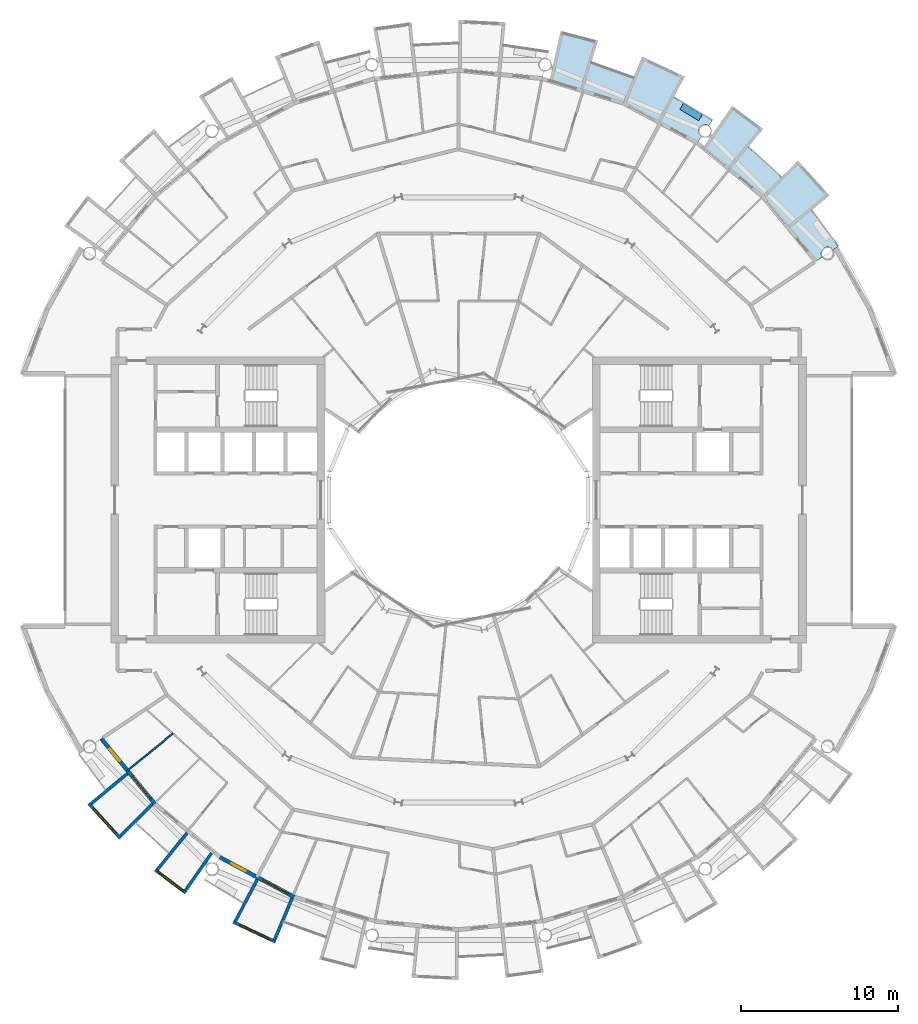
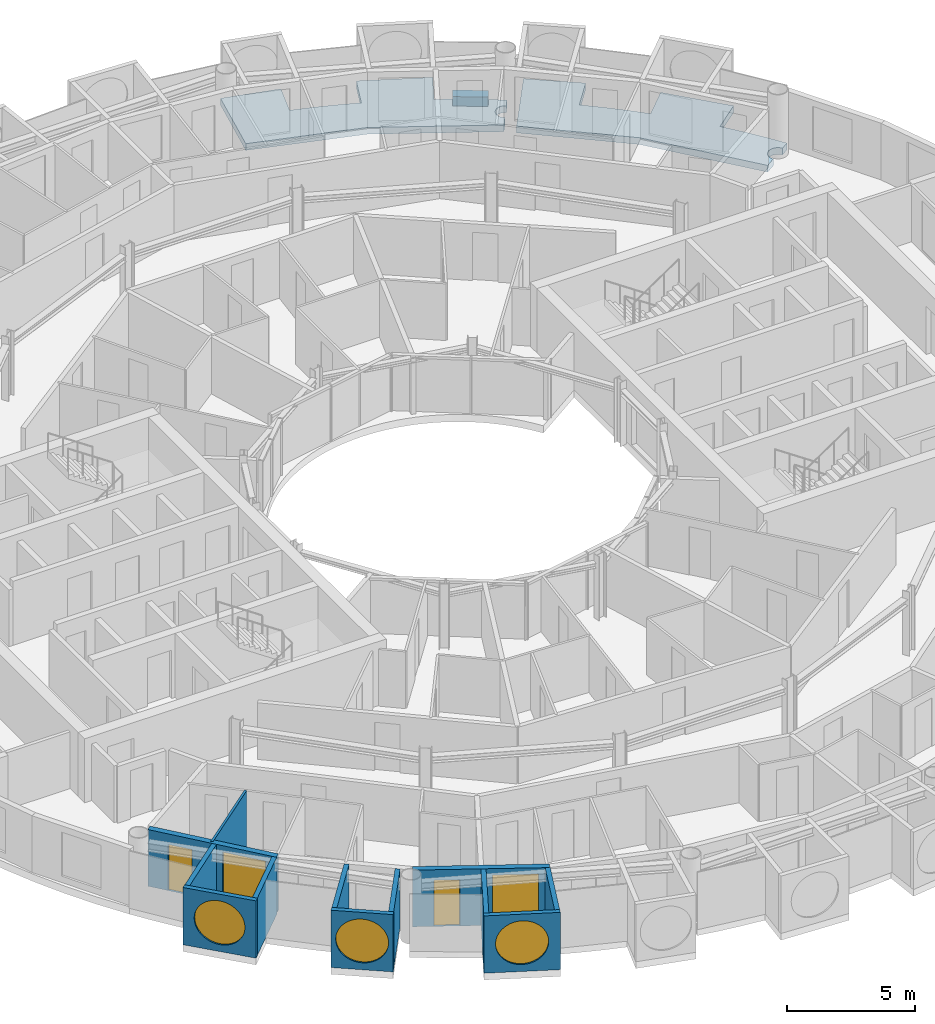
# One storey, part 13 of 26: 12 walls, 5 windows, 3 slabs, 2 doors, 7 openings.
"""IFC4 building model written with IfcOpenShell, lengths in metres."""

import ifcopenshell
import ifcopenshell.guid

model = None  # the IFC model being written
_history = None  # IfcOwnerHistory: only IFC2X3 demands one
_inside = {}  # id of a spatial element -> (the spatial element, [elements in it])
_under = {}  # id of a project, library or spatial element -> (it, [spatial elements below it])
_declared = {}  # id of a project -> (the project, [libraries it declares])
_typed = {}  # id of a type object -> (the type object, [elements of that type])
_made_of = {}  # id of a material, layer set ... -> (it, [elements and type objects made of it])


def new_model(schema):
    """Start an empty IFC model of exactly this schema.

    Asked for "IFC4X3", IfcOpenShell would pick the latest addendum, in which some entities
    have other attributes; the version numbers below select the first issue.
    IFC2X3 requires an IfcOwnerHistory on every rooted entity: one is made here for all.
    """
    global model, _history
    if schema == "IFC4X3":
        model = ifcopenshell.file(schema_version=(4, 3, 0, 0))
    else:
        model = ifcopenshell.file(schema=schema)
    _inside.clear()
    _under.clear()
    _declared.clear()
    _typed.clear()
    _made_of.clear()
    _history = None
    if model.schema == "IFC2X3":
        org = make("IfcOrganization", Name="unknown")
        user = make(
            "IfcPersonAndOrganization",
            ThePerson=make("IfcPerson", FamilyName="unknown"),
            TheOrganization=org,
        )
        app = make(
            "IfcApplication",
            ApplicationDeveloper=org,
            Version="unknown",
            ApplicationFullName="unknown",
            ApplicationIdentifier="unknown",
        )
        _history = make(
            "IfcOwnerHistory",
            OwningUser=user,
            OwningApplication=app,
            ChangeAction="ADDED",
            CreationDate=0,
        )
    return model


def make(cls, **values):
    """One entity of the class cls with the attributes given. An attribute that is None is left unset."""
    return model.create_entity(
        cls, **{name: value for name, value in values.items() if value is not None}
    )


def rooted(cls, **values):
    """An entity with a GlobalId (a new one), such as an element, a storey or a relation."""
    return make(cls, GlobalId=ifcopenshell.guid.new(), OwnerHistory=_history, **values)


def si_unit(unit_type, name, prefix=None):
    """IfcSIUnit, for example si_unit("LENGTHUNIT", "METRE", prefix="MILLI")."""
    return make("IfcSIUnit", UnitType=unit_type, Prefix=prefix, Name=name)


def assignment(units):
    """IfcUnitAssignment: the units of a project."""
    return None if units is None else make("IfcUnitAssignment", Units=units)


def point(xyz):
    """IfcCartesianPoint."""
    return None if xyz is None else make("IfcCartesianPoint", Coordinates=xyz)


def direction(xyz):
    """IfcDirection."""
    return None if xyz is None else make("IfcDirection", DirectionRatios=xyz)


def frame(location, z_axis=None, x_axis=None):
    """IfcAxis2Placement3D, a coordinate frame: its origin and axes. An axis left out is left unset."""
    return make(
        "IfcAxis2Placement3D",
        Location=point(location),
        Axis=direction(z_axis),
        RefDirection=direction(x_axis),
    )


def frame_2d(location, x_axis=None):
    """IfcAxis2Placement2D, a coordinate frame in the plane: its origin and x axis."""
    return make(
        "IfcAxis2Placement2D", Location=point(location), RefDirection=direction(x_axis)
    )


def origin():
    """The frame at (0, 0, 0) with its axes left unset."""
    return frame((0.0, 0.0, 0.0))


def place(relative_to, where):
    """IfcLocalPlacement: puts the frame where relative to a parent placement (None: the world)."""
    return make(
        "IfcLocalPlacement", PlacementRelTo=relative_to, RelativePlacement=where
    )


def context(
    kind, dimensions, precision=None, world=None, true_north=None, identifier=None
):
    """IfcGeometricRepresentationContext, for example the 3D "Model" context."""
    return make(
        "IfcGeometricRepresentationContext",
        ContextIdentifier=identifier,
        ContextType=kind,
        CoordinateSpaceDimension=dimensions,
        Precision=precision,
        WorldCoordinateSystem=world,
        TrueNorth=true_north,
    )


def subcontext(parent, identifier, kind, view, scale=None):
    """IfcGeometricRepresentationSubContext, for example "Body" below "Model"."""
    return make(
        "IfcGeometricRepresentationSubContext",
        ContextIdentifier=identifier,
        ContextType=kind,
        ParentContext=parent,
        TargetScale=scale,
        TargetView=view,
    )


def project(units=None, contexts=None):
    """IfcProject with its units and contexts."""
    return rooted(
        "IfcProject",
        Name="project",
        RepresentationContexts=contexts,
        UnitsInContext=assignment(units),
    )


def spatial(cls, under=None, at=None, **own):
    """A site, building, storey or space (cls), placed at a placement, below another one or the project."""
    s = rooted(cls, ObjectPlacement=at, **own)
    if under is not None:
        _under.setdefault(under.id(), (under, []))[1].append(s)
    return s


def polyline(points):
    """IfcPolyline through the points."""
    return make("IfcPolyline", Points=[point(p) for p in points])


def profile(cls, at=None, kind="AREA", **sizes):
    """A parametric profile (cls). Its sizes go by their IFC names, for example OverallWidth=200.0."""
    return make(cls, ProfileType=kind, Position=at, **sizes)


def rectangle(**sizes):
    """IfcRectangleProfileDef."""
    return profile("IfcRectangleProfileDef", **sizes)


def circle(**sizes):
    """IfcCircleProfileDef."""
    return profile("IfcCircleProfileDef", **sizes)


def outline(outer, holes=None, kind="AREA"):
    """IfcArbitraryClosedProfileDef: a profile drawn as a closed curve; with holes, ...WithVoids."""
    if holes is None:
        return make("IfcArbitraryClosedProfileDef", ProfileType=kind, OuterCurve=outer)
    return make(
        "IfcArbitraryProfileDefWithVoids",
        ProfileType=kind,
        OuterCurve=outer,
        InnerCurves=holes,
    )


def extrude(swept, where, along, depth):
    """IfcExtrudedAreaSolid: the profile swept, set in the frame where, extruded along a direction by depth."""
    return make(
        "IfcExtrudedAreaSolid",
        SweptArea=swept,
        Position=where,
        ExtrudedDirection=direction(along),
        Depth=depth,
    )


def shape(context_of_items, identifier, shape_type, items):
    """IfcShapeRepresentation: the items that make up one representation, for example the "Body"."""
    return make(
        "IfcShapeRepresentation",
        ContextOfItems=context_of_items,
        RepresentationIdentifier=identifier,
        RepresentationType=shape_type,
        Items=items,
    )


def material(Name=None, Category=None):
    """IfcMaterial."""
    return make("IfcMaterial", Name=Name, Category=Category)


def layer(
    of_material, thickness, ventilated=None, Name=None, Category=None, Priority=None
):
    """IfcMaterialLayer: one layer of a wall or slab, of a material (None: an air gap)."""
    return make(
        "IfcMaterialLayer",
        Material=of_material,
        LayerThickness=thickness,
        IsVentilated=ventilated,
        Name=Name,
        Category=Category,
        Priority=Priority,
    )


def layer_set(layers, Name=None):
    """IfcMaterialLayerSet."""
    return make("IfcMaterialLayerSet", MaterialLayers=layers, LayerSetName=Name)


def made_of(thing, what):
    """Note that an element or type object is made of a material, layer set ...; save() writes the relation."""
    if what is not None:
        _made_of.setdefault(what.id(), (what, []))[1].append(thing)
    return thing


def type_object(cls, material=None, **own):
    """A type object (cls), such as IfcWallType, which elements share."""
    return made_of(rooted(cls, **own), material)


def element(
    cls,
    number,
    at=None,
    inside=None,
    cuts=None,
    type_object=None,
    material=None,
    context=None,
    identifier="Body",
    shape_type=None,
    held_by="IfcProductDefinitionShape",
    body=None,
    shapes=None,
    **own,
):
    """One element of the class cls, such as IfcWall. Its Tag is "e" and its number.

    at: its placement. inside: the storey or other place that contains it. cuts: it is an
    opening in that element (IfcRelVoidsElement). A single representation is given by context,
    identifier, shape_type and body (its items); several are given by shapes. held_by: the class
    of the entity that holds the representations. save() writes the other relations.
    """
    e = rooted(cls, Tag="e%d" % number, ObjectPlacement=at, **own)
    if body is not None:
        shapes = [shape(context, identifier, shape_type, body)]
    if shapes is not None:
        e.Representation = make(held_by, Representations=shapes)
    if inside is not None:
        _inside.setdefault(inside.id(), (inside, []))[1].append(e)
    if cuts is not None:
        rooted(
            "IfcRelVoidsElement", RelatingBuildingElement=cuts, RelatedOpeningElement=e
        )
    if type_object is not None:
        _typed.setdefault(type_object.id(), (type_object, []))[1].append(e)
    return made_of(e, material)


def fill(opening, filler):
    """IfcRelFillsElement: the door or window that sits in an opening."""
    return rooted(
        "IfcRelFillsElement",
        RelatingOpeningElement=opening,
        RelatedBuildingElement=filler,
    )


def aggregate(whole, parts):
    """IfcRelAggregates: a whole, such as a stair, and the parts it consists of."""
    return rooted("IfcRelAggregates", RelatingObject=whole, RelatedObjects=parts)


def save(model, path):
    """Write the relations noted so far, then the file.

    IfcRelAggregates (storeys below a building ...), IfcRelContainedInSpatialStructure (elements
    in a storey), IfcRelDefinesByType, IfcRelAssociatesMaterial and IfcRelDeclares: one each for
    every whole, place, type object, material and project.
    """
    for whole, parts in _under.values():
        aggregate(whole, parts)
    for where, things in _inside.values():
        rooted(
            "IfcRelContainedInSpatialStructure",
            RelatedElements=things,
            RelatingStructure=where,
        )
    for kind, things in _typed.values():
        rooted("IfcRelDefinesByType", RelatedObjects=things, RelatingType=kind)
    for what, things in _made_of.values():
        rooted("IfcRelAssociatesMaterial", RelatedObjects=things, RelatingMaterial=what)
    for by, libraries in _declared.values():
        rooted("IfcRelDeclares", RelatingContext=by, RelatedDefinitions=libraries)
    model.write(path)


model = new_model("IFC4")

# Units and contexts
model_context = context("Model", 3, precision=1e-05, world=origin(), true_north=direction((0.0, 1.0)))
body_context = subcontext(model_context, "Body", "Model", "MODEL_VIEW")
ifc_project = project(units=[si_unit("LENGTHUNIT", "METRE"), si_unit("AREAUNIT", "SQUARE_METRE"), si_unit("VOLUMEUNIT", "CUBIC_METRE"), si_unit("PLANEANGLEUNIT", "RADIAN"), si_unit("MASSUNIT", "GRAM", prefix="KILO")], contexts=[model_context])

# Site, building, storey
site_placement = place(None, origin())
site = spatial("IfcSite", under=ifc_project, at=site_placement, CompositionType="ELEMENT")
building_placement = place(site_placement, origin())
building = spatial("IfcBuilding", under=site, at=building_placement, Name="Maasbend Ring Residences", CompositionType="ELEMENT")
storey_placement = place(building_placement, frame((0.0, 0.0, 154.35009765625)))
storey = spatial("IfcBuildingStorey", under=building, at=storey_placement, Name="L44", CompositionType="ELEMENT", Elevation=154.35009765625)

# Slabs
ifc_material_1 = material(Name="Planting with climbing greenery")
ifc_layer_1 = layer(ifc_material_1, 0.449951171875)
ifc_layer_set_1 = layer_set([ifc_layer_1], Name="PLANTER-LG")
slab_type_1 = type_object("IfcSlabType", Name="PLANTER-LG", PredefinedType="USERDEFINED", material=ifc_layer_set_1)
slab_1_placement = place(storey_placement, frame((0.0, 0.0, -0.030029296875)))
element("IfcSlab", 1, at=slab_1_placement, inside=storey, type_object=slab_type_1, Name="Planter with climbing greenery 2", ObjectType="PLANTER", PredefinedType="USERDEFINED", context=body_context, shape_type="SweptSolid", body=[
    extrude(outline(polyline([(15.490966796875, 24.48388671875), (14.291015625, 25.2041015625), (14.05908203125, 24.818115234375), (15.260009765625, 24.097900390625), (15.490966796875, 24.48388671875)])), origin(), (0.0, 0.0, 1.0), 0.449951171875),
])
ifc_material_2 = material(Name="Concrete C40/50", Category="concrete")
ifc_layer_2 = layer(ifc_material_2, 0.199951171875)
ifc_layer_set_2 = layer_set([ifc_layer_2], Name="Concrete C40/50")
slab_type_2 = type_object("IfcSlabType", Name="SL-LOGGIA", PredefinedType="FLOOR", material=ifc_layer_set_2)
slab_2_placement = place(storey_placement, frame((0.0, 0.0, -0.35009765625)))
element("IfcSlab", 2, at=slab_2_placement, inside=storey, type_object=slab_type_2, Name="Loggia floor 1", PredefinedType="FLOOR", context=body_context, shape_type="SweptSolid", body=[
    extrude(outline(polyline([(8.85400390625, 29.18701171875), (8.85400390625, 29.18701171875), (8.85400390625, 29.18701171875), (8.41796875, 27.751953125), (8.41796875, 27.751953125), (8.41796875, 27.751953125), (8.41796875, 27.751953125), (8.41796875, 27.751953125), (8.41796875, 27.751953125), (8.41796875, 27.7509765625), (8.41796875, 27.7509765625), (8.41796875, 27.7509765625), (8.41796875, 27.7509765625), (8.41796875, 27.7509765625), (8.4189453125, 27.7509765625), (8.4189453125, 27.7509765625), (8.4189453125, 27.7509765625), (8.4189453125, 27.7509765625), (8.4189453125, 27.7509765625), (8.4189453125, 27.7509765625), (9.322021484375, 27.4609375), (9.322021484375, 27.4609375), (10.215087890625, 27.14111328125), (10.215087890625, 27.14111328125), (11.096923828125, 26.79296875), (11.096923828125, 26.79296875), (11.096923828125, 26.79296875), (11.097900390625, 26.79296875), (11.097900390625, 26.79296875), (11.097900390625, 26.79296875), (11.097900390625, 26.79296875), (11.097900390625, 26.79296875), (11.097900390625, 26.79296875), (11.097900390625, 26.79296875), (11.097900390625, 26.79296875), (11.097900390625, 26.79296875), (11.097900390625, 26.79296875), (11.097900390625, 26.79296875), (11.097900390625, 26.79296875), (11.097900390625, 26.79296875), (11.097900390625, 26.79296875), (11.672119140625, 28.177978515625), (11.672119140625, 28.177978515625), (11.672119140625, 28.177978515625), (14.3779296875, 26.89892578125), (14.3779296875, 26.89892578125), (14.3779296875, 26.89892578125), (13.6708984375, 25.575927734375), (13.6708984375, 25.575927734375), (13.6708984375, 25.575927734375), (13.6708984375, 25.575927734375), (13.6708984375, 25.575927734375), (13.6708984375, 25.575927734375), (13.6708984375, 25.575927734375), (13.6708984375, 25.575927734375), (13.6708984375, 25.575927734375), (13.6708984375, 25.575927734375), (13.6708984375, 25.575927734375), (13.6708984375, 25.575927734375), (13.6708984375, 25.575927734375), (13.6708984375, 25.575927734375), (13.6708984375, 25.575927734375), (13.6708984375, 25.575927734375), (13.6708984375, 25.574951171875), (14.5, 25.114990234375), (14.5, 25.114990234375), (15.31396484375, 24.626953125), (15.31396484375, 24.626953125), (16.112060546875, 24.113037109375), (16.112060546875, 24.113037109375), (16.112060546875, 24.113037109375), (15.89306640625, 23.784912109375), (15.885009765625, 23.791015625), (15.8759765625, 23.7958984375), (15.866943359375, 23.801025390625), (15.85888671875, 23.805908203125), (15.85009765625, 23.81005859375), (15.841064453125, 23.81494140625), (15.83203125, 23.819091796875), (15.822998046875, 23.822998046875), (15.81298828125, 23.826904296875), (15.803955078125, 23.830078125), (15.794921875, 23.8330078125), (15.784912109375, 23.8359375), (15.77587890625, 23.839111328125), (15.76611328125, 23.842041015625), (15.756103515625, 23.843994140625), (15.74609375, 23.845947265625), (15.737060546875, 23.847900390625), (15.72705078125, 23.85009765625), (15.717041015625, 23.85107421875), (15.70703125, 23.85205078125), (15.697021484375, 23.85302734375), (15.68701171875, 23.85302734375), (15.677001953125, 23.85400390625), (15.6669921875, 23.85400390625), (15.656982421875, 23.85400390625), (15.64697265625, 23.85302734375), (15.636962890625, 23.85302734375), (15.626953125, 23.85205078125), (15.616943359375, 23.85107421875), (15.60693359375, 23.85009765625), (15.597900390625, 23.847900390625), (15.587890625, 23.845947265625), (15.577880859375, 23.843994140625), (15.568115234375, 23.842041015625), (15.55908203125, 23.839111328125), (15.549072265625, 23.8359375), (15.5400390625, 23.8330078125), (15.530029296875, 23.830078125), (15.52099609375, 23.826904296875), (15.511962890625, 23.822998046875), (15.501953125, 23.819091796875), (15.492919921875, 23.81494140625), (15.48388671875, 23.81005859375), (15.47509765625, 23.805908203125), (15.467041015625, 23.801025390625), (15.4580078125, 23.7958984375), (15.449951171875, 23.791015625), (15.44091796875, 23.784912109375), (15.43310546875, 23.780029296875), (15.425048828125, 23.77392578125), (15.4169921875, 23.76806640625), (15.408935546875, 23.761962890625), (15.402099609375, 23.7548828125), (15.39404296875, 23.7490234375), (15.386962890625, 23.741943359375), (15.3798828125, 23.735107421875), (15.373046875, 23.72802734375), (15.365966796875, 23.719970703125), (15.35888671875, 23.712890625), (15.35302734375, 23.705078125), (15.346923828125, 23.697021484375), (15.341064453125, 23.68994140625), (15.3349609375, 23.680908203125), (15.3291015625, 23.673095703125), (15.323974609375, 23.6650390625), (15.318115234375, 23.656005859375), (15.31298828125, 23.64794921875), (15.30908203125, 23.638916015625), (15.303955078125, 23.6298828125), (15.300048828125, 23.62109375), (15.294921875, 23.612060546875), (15.2919921875, 23.60302734375), (15.2880859375, 23.593994140625), (15.283935546875, 23.583984375), (15.281005859375, 23.574951171875), (15.278076171875, 23.56494140625), (15.27490234375, 23.555908203125), (15.27294921875, 23.5458984375), (15.27001953125, 23.535888671875), (15.26806640625, 23.527099609375), (15.26708984375, 23.51708984375), (15.264892578125, 23.507080078125), (15.263916015625, 23.4970703125), (15.262939453125, 23.487060546875), (15.261962890625, 23.47705078125), (15.260986328125, 23.467041015625), (15.260986328125, 23.45703125), (15.260986328125, 23.447021484375), (15.260986328125, 23.43701171875), (15.260986328125, 23.427001953125), (15.261962890625, 23.4169921875), (15.262939453125, 23.407958984375), (15.263916015625, 23.39794921875), (15.264892578125, 23.387939453125), (15.26708984375, 23.3779296875), (15.26806640625, 23.367919921875), (15.27001953125, 23.35791015625), (15.27294921875, 23.34912109375), (15.27490234375, 23.339111328125), (15.278076171875, 23.3291015625), (15.281005859375, 23.320068359375), (15.283935546875, 23.31005859375), (15.2880859375, 23.301025390625), (15.2919921875, 23.2919921875), (15.294921875, 23.282958984375), (15.300048828125, 23.27392578125), (15.303955078125, 23.264892578125), (15.30908203125, 23.256103515625), (15.31298828125, 23.2470703125), (15.318115234375, 23.238037109375), (15.323974609375, 23.22998046875), (15.3291015625, 23.221923828125), (15.3349609375, 23.212890625), (15.341064453125, 23.205078125), (15.346923828125, 23.197021484375), (15.35302734375, 23.18994140625), (15.35888671875, 23.181884765625), (15.365966796875, 23.174072265625), (15.373046875, 23.1669921875), (15.3798828125, 23.159912109375), (15.386962890625, 23.153076171875), (15.39404296875, 23.14599609375), (15.402099609375, 23.139892578125), (15.408935546875, 23.133056640625), (15.4169921875, 23.126953125), (15.425048828125, 23.12109375), (15.43310546875, 23.114990234375), (15.44091796875, 23.10888671875), (15.1669921875, 22.698974609375), (15.1669921875, 22.698974609375), (15.1669921875, 22.698974609375), (12.806884765625, 23.9609375), (10.447021484375, 25.221923828125), (10.447021484375, 25.221923828125), (10.447021484375, 25.221923828125), (7.886962890625, 25.9990234375), (5.797119140625, 26.633056640625), (5.797119140625, 26.633056640625), (5.797119140625, 26.633056640625), (6.487060546875, 29.802001953125), (6.487060546875, 29.802001953125), (6.487060546875, 29.802001953125), (8.85400390625, 29.18701171875)])), origin(), (0.0, 0.0, 1.0), 0.320068359375),
])
slab_3_placement = place(storey_placement, frame((0.0, 0.0, -0.35009765625)))
element("IfcSlab", 3, at=slab_3_placement, inside=storey, type_object=slab_type_2, Name="Loggia floor 4", PredefinedType="FLOOR", context=body_context, shape_type="SweptSolid", body=[
    extrude(outline(polyline([(19.34912109375, 23.576904296875), (19.34912109375, 23.576904296875), (19.34912109375, 23.576904296875), (18.39794921875, 22.41796875), (18.39794921875, 22.41796875), (18.39794921875, 22.41796875), (18.39794921875, 22.41796875), (18.39794921875, 22.41796875), (18.39794921875, 22.4169921875), (18.39794921875, 22.4169921875), (18.39794921875, 22.4169921875), (18.39794921875, 22.4169921875), (18.39794921875, 22.4169921875), (18.39794921875, 22.4169921875), (18.39794921875, 22.4169921875), (18.39794921875, 22.4169921875), (18.39794921875, 22.4169921875), (18.39794921875, 22.4169921875), (18.39794921875, 22.4169921875), (18.39794921875, 22.4169921875), (19.12109375, 21.802978515625), (19.12109375, 21.802978515625), (19.823974609375, 21.166015625), (19.823974609375, 21.166015625), (20.506103515625, 20.506103515625), (20.506103515625, 20.506103515625), (20.506103515625, 20.506103515625), (20.506103515625, 20.506103515625), (20.506103515625, 20.506103515625), (20.506103515625, 20.506103515625), (20.506103515625, 20.506103515625), (20.506103515625, 20.506103515625), (20.506103515625, 20.506103515625), (20.506103515625, 20.506103515625), (20.506103515625, 20.506103515625), (20.506103515625, 20.506103515625), (20.506103515625, 20.506103515625), (20.506103515625, 20.506103515625), (20.506103515625, 20.506103515625), (20.506103515625, 20.506103515625), (20.506103515625, 20.506103515625), (21.56689453125, 21.56689453125), (21.56689453125, 21.56689453125), (21.56689453125, 21.56689453125), (23.576904296875, 19.34912109375), (23.576904296875, 19.34912109375), (23.576904296875, 19.34912109375), (22.41796875, 18.39794921875), (22.41796875, 18.39794921875), (22.41796875, 18.39794921875), (22.41796875, 18.39794921875), (22.41796875, 18.39794921875), (22.41796875, 18.39794921875), (22.41796875, 18.39697265625), (22.41796875, 18.39697265625), (22.41796875, 18.39697265625), (22.41796875, 18.39697265625), (22.41796875, 18.39697265625), (22.41796875, 18.39697265625), (22.41796875, 18.39697265625), (22.41796875, 18.39697265625), (22.41796875, 18.39697265625), (22.41796875, 18.39697265625), (22.41796875, 18.39697265625), (23.007080078125, 17.654052734375), (23.007080078125, 17.654052734375), (23.572998046875, 16.89208984375), (23.572998046875, 16.89208984375), (24.113037109375, 16.112060546875), (24.113037109375, 16.112060546875), (24.113037109375, 16.112060546875), (23.784912109375, 15.89306640625), (23.784912109375, 15.89306640625), (23.780029296875, 15.90087890625), (23.77392578125, 15.908935546875), (23.76806640625, 15.9169921875), (23.761962890625, 15.925048828125), (23.7548828125, 15.93310546875), (23.7490234375, 15.93994140625), (23.741943359375, 15.947021484375), (23.735107421875, 15.955078125), (23.72802734375, 15.9619140625), (23.719970703125, 15.968017578125), (23.712890625, 15.97509765625), (23.705078125, 15.98095703125), (23.697021484375, 15.988037109375), (23.68994140625, 15.993896484375), (23.680908203125, 15.9990234375), (23.673095703125, 16.0048828125), (23.6650390625, 16.010986328125), (23.656005859375, 16.01611328125), (23.64794921875, 16.02099609375), (23.638916015625, 16.02587890625), (23.6298828125, 16.030029296875), (23.62109375, 16.034912109375), (23.612060546875, 16.0390625), (23.60302734375, 16.04296875), (23.593994140625, 16.0458984375), (23.583984375, 16.050048828125), (23.574951171875, 16.052978515625), (23.56494140625, 16.055908203125), (23.555908203125, 16.05908203125), (23.5458984375, 16.06103515625), (23.535888671875, 16.06396484375), (23.527099609375, 16.06591796875), (23.51708984375, 16.068115234375), (23.507080078125, 16.069091796875), (23.4970703125, 16.071044921875), (23.487060546875, 16.072021484375), (23.47705078125, 16.072021484375), (23.467041015625, 16.072998046875), (23.45703125, 16.072998046875), (23.447021484375, 16.073974609375), (23.43701171875, 16.072998046875), (23.427001953125, 16.072998046875), (23.4169921875, 16.072021484375), (23.407958984375, 16.072021484375), (23.39794921875, 16.071044921875), (23.387939453125, 16.069091796875), (23.3779296875, 16.068115234375), (23.367919921875, 16.06591796875), (23.35791015625, 16.06396484375), (23.34912109375, 16.06103515625), (23.339111328125, 16.05908203125), (23.3291015625, 16.055908203125), (23.320068359375, 16.052978515625), (23.31005859375, 16.050048828125), (23.301025390625, 16.0458984375), (23.2919921875, 16.04296875), (23.282958984375, 16.0390625), (23.27392578125, 16.034912109375), (23.264892578125, 16.030029296875), (23.256103515625, 16.02587890625), (23.2470703125, 16.02099609375), (23.238037109375, 16.01611328125), (23.22998046875, 16.010986328125), (23.221923828125, 16.0048828125), (23.212890625, 15.9990234375), (23.205078125, 15.993896484375), (23.197021484375, 15.988037109375), (23.18994140625, 15.98095703125), (23.181884765625, 15.97509765625), (23.174072265625, 15.968017578125), (23.1669921875, 15.9619140625), (23.159912109375, 15.955078125), (23.153076171875, 15.947021484375), (23.14599609375, 15.93994140625), (23.139892578125, 15.93310546875), (23.133056640625, 15.925048828125), (23.126953125, 15.9169921875), (23.12109375, 15.908935546875), (23.114990234375, 15.90087890625), (23.10888671875, 15.89306640625), (23.10400390625, 15.885009765625), (23.09912109375, 15.8759765625), (23.093994140625, 15.866943359375), (23.089111328125, 15.85888671875), (23.083984375, 15.85009765625), (23.080078125, 15.841064453125), (23.075927734375, 15.83203125), (23.072021484375, 15.822998046875), (23.068115234375, 15.81298828125), (23.06494140625, 15.803955078125), (23.06103515625, 15.794921875), (23.05810546875, 15.784912109375), (23.055908203125, 15.77587890625), (23.052978515625, 15.76611328125), (23.051025390625, 15.756103515625), (23.049072265625, 15.74609375), (23.047119140625, 15.737060546875), (23.044921875, 15.72705078125), (23.0439453125, 15.717041015625), (23.04296875, 15.70703125), (23.0419921875, 15.697021484375), (23.041015625, 15.68701171875), (23.041015625, 15.677001953125), (23.041015625, 15.6669921875), (23.041015625, 15.656982421875), (23.041015625, 15.64697265625), (23.0419921875, 15.636962890625), (23.04296875, 15.626953125), (23.0439453125, 15.616943359375), (23.044921875, 15.60693359375), (23.047119140625, 15.597900390625), (23.049072265625, 15.587890625), (23.051025390625, 15.577880859375), (23.052978515625, 15.568115234375), (23.055908203125, 15.55908203125), (23.05810546875, 15.549072265625), (23.06103515625, 15.5400390625), (23.06494140625, 15.530029296875), (23.068115234375, 15.52099609375), (23.072021484375, 15.511962890625), (23.075927734375, 15.501953125), (23.080078125, 15.492919921875), (23.083984375, 15.48388671875), (23.089111328125, 15.47509765625), (23.093994140625, 15.467041015625), (23.09912109375, 15.4580078125), (23.10400390625, 15.449951171875), (23.10888671875, 15.44091796875), (23.10888671875, 15.44091796875), (22.698974609375, 15.1669921875), (22.698974609375, 15.1669921875), (22.698974609375, 15.1669921875), (21.001953125, 17.236083984375), (19.303955078125, 19.303955078125), (19.303955078125, 19.303955078125), (19.303955078125, 19.303955078125), (17.236083984375, 21.001953125), (15.547119140625, 22.386962890625), (15.547119140625, 22.386962890625), (15.547119140625, 22.386962890625), (17.39794921875, 25.051025390625), (17.39794921875, 25.051025390625), (17.39794921875, 25.051025390625), (19.34912109375, 23.576904296875)])), origin(), (0.0, 0.0, 1.0), 0.320068359375),
])

# Wall, opening, window
ifc_material_3 = material(Name="Pale anodised aluminium panel", Category="aluminium")
ifc_layer_3 = layer(ifc_material_3, 0.199951171875)
ifc_layer_set_3 = layer_set([ifc_layer_3], Name="EW-BOX")
wall_type_1 = type_object("IfcWallType", Name="EW-BOX", PredefinedType="SOLIDWALL", material=ifc_layer_set_3)
wall_1_placement = place(storey_placement, frame((-23.5029296875, -19.281982421875, -0.030029296875), z_axis=(0.0, 0.0, 1.0), x_axis=(0.671506829416, -0.740998365753, 0.0)))
wall_1 = element("IfcWall", 4, at=wall_1_placement, inside=storey, type_object=wall_type_1, Name="Box front S02", PredefinedType="SOLIDWALL", context=body_context, shape_type="SweptSolid", body=[
    extrude(rectangle(XDim=2.9931640625, YDim=0.199951171875, at=frame_2d((1.49658203125, 0.0))), origin(), (0.0, 0.0, 1.0), 2.72998046875),
])
opening_1_placement = place(wall_1_placement, frame((0.45654296875, 0.0, 0.330078125)))
opening_1 = element("IfcOpeningElement", 5, at=opening_1_placement, cuts=wall_1, Name="Opening W-RD", PredefinedType="OPENING", context=body_context, shape_type="SweptSolid", body=[
    extrude(circle(Radius=1.0400390625, at=frame_2d((1.0400390625, 1.0400390625))), frame((0.0, 0.10986328125, 0.0), z_axis=(0.0, -1.0, 0.0), x_axis=(1.0, 0.0, 0.0)), (0.0, 0.0, 1.0), 0.219970703125),
])
ifc_material_4 = material(Name="Aluminium and clear glass", Category="aluminium")
window_type_1 = type_object("IfcWindowType", Name="W-RD", PartitioningType="SINGLE_PANEL", PredefinedType="WINDOW", material=ifc_material_4)
window_1_placement = place(opening_1_placement, origin())
window_1 = element("IfcWindow", 6, at=window_1_placement, inside=storey, type_object=window_type_1, Name="Round window S02", OverallHeight=2.080078125, OverallWidth=2.080078125, PartitioningType="SINGLE_PANEL", PredefinedType="WINDOW", context=body_context, shape_type="SweptSolid", body=[
    extrude(circle(Radius=1.0400390625, at=frame_2d((1.0400390625, 1.0400390625))), frame((0.0, 0.030029296875, 0.0), z_axis=(0.0, -1.0, 0.0), x_axis=(1.0, 0.0, 0.0)), (0.0, 0.0, 1.0), 0.06005859375),
])
fill(opening_1, window_1)

# Walls
wall_2_placement = place(storey_placement, frame((-21.041015625, -17.384033203125, -0.030029296875), z_axis=(0.0, 0.0, 1.0), x_axis=(-0.770784861449, -0.63709551667, 0.0)))
element("IfcWall", 7, at=wall_2_placement, inside=storey, type_object=wall_type_1, Name="Box side wall S02 left", PredefinedType="SOLIDWALL", context=body_context, shape_type="SweptSolid", body=[
    extrude(rectangle(XDim=3.005859375, YDim=0.199951171875, at=frame_2d((1.5029296875, 0.0))), origin(), (0.0, 0.0, 1.0), 2.72998046875),
])
wall_3_placement = place(storey_placement, frame((-19.449951171875, -19.322998046875, -0.030029296875), z_axis=(0.0, 0.0, 1.0), x_axis=(-0.709727076896, -0.704476739375, 0.0)))
element("IfcWall", 8, at=wall_3_placement, inside=storey, type_object=wall_type_1, Name="Box side wall S02 right", PredefinedType="SOLIDWALL", context=body_context, shape_type="SweptSolid", body=[
    extrude(rectangle(XDim=2.883056640625, YDim=0.199951171875, at=frame_2d((1.44140625, 0.0))), origin(), (0.0, 0.0, 1.0), 2.72998046875),
])

# Wall, opening, window
wall_4_placement = place(storey_placement, frame((-19.2890625, -23.4970703125, -0.030029296875), z_axis=(0.0, 0.0, 1.0), x_axis=(0.797887588059, -0.602806268067, 0.0)))
wall_4 = element("IfcWall", 9, at=wall_4_placement, inside=storey, type_object=wall_type_1, Name="Box front S04", PredefinedType="SOLIDWALL", context=body_context, shape_type="SweptSolid", body=[
    extrude(rectangle(XDim=2.446533203125, YDim=0.199951171875, at=frame_2d((1.22314453125, 0.0))), origin(), (0.0, 0.0, 1.0), 2.72998046875),
])
opening_2_placement = place(wall_4_placement, frame((0.182861328125, 0.0, 0.330078125)))
opening_2 = element("IfcOpeningElement", 10, at=opening_2_placement, cuts=wall_4, Name="Opening W-RD", PredefinedType="OPENING", context=body_context, shape_type="SweptSolid", body=[
    extrude(circle(Radius=1.0400390625, at=frame_2d((1.0400390625, 1.0400390625))), frame((0.0, 0.10986328125, 0.0), z_axis=(0.0, -1.0, 0.0), x_axis=(1.0, 0.0, 0.0)), (0.0, 0.0, 1.0), 0.219970703125),
])
window_2_placement = place(opening_2_placement, origin())
window_2 = element("IfcWindow", 11, at=window_2_placement, inside=storey, type_object=window_type_1, Name="Round window S04", OverallHeight=2.080078125, OverallWidth=2.080078125, PartitioningType="SINGLE_PANEL", PredefinedType="WINDOW", context=body_context, shape_type="SweptSolid", body=[
    extrude(circle(Radius=1.0400390625, at=frame_2d((1.0400390625, 1.0400390625))), frame((0.0, 0.030029296875, 0.0), z_axis=(0.0, -1.0, 0.0), x_axis=(1.0, 0.0, 0.0)), (0.0, 0.0, 1.0), 0.06005859375),
])
fill(opening_2, window_2)

# Walls
wall_5_placement = place(storey_placement, frame((-17.24609375, -21.155029296875, -0.030029296875), z_axis=(0.0, 0.0, 1.0), x_axis=(-0.631741648902, -0.775179004516, 0.0)))
element("IfcWall", 12, at=wall_5_placement, inside=storey, type_object=wall_type_1, Name="Box side wall S04 left", PredefinedType="SOLIDWALL", context=body_context, shape_type="SweptSolid", body=[
    extrude(rectangle(XDim=3.005859375, YDim=0.199951171875, at=frame_2d((1.5029296875, 0.0))), origin(), (0.0, 0.0, 1.0), 2.72998046875),
])
wall_6_placement = place(storey_placement, frame((-15.68798828125, -22.43310546875, -0.030029296875), z_axis=(0.0, 0.0, 1.0), x_axis=(-0.573260687834, -0.819373043115, 0.0)))
element("IfcWall", 13, at=wall_6_placement, inside=storey, type_object=wall_type_1, Name="Box side wall S04 right", PredefinedType="SOLIDWALL", context=body_context, shape_type="SweptSolid", body=[
    extrude(rectangle(XDim=2.92529296875, YDim=0.199951171875, at=frame_2d((1.462646484375, 0.0))), origin(), (0.0, 0.0, 1.0), 2.72998046875),
])

# Wall, opening, window
wall_7_placement = place(storey_placement, frame((-14.3349609375, -26.80810546875, -0.030029296875), z_axis=(0.0, 0.0, 1.0), x_axis=(0.904000060331, -0.427532327342, 0.0)))
wall_7 = element("IfcWall", 14, at=wall_7_placement, inside=storey, type_object=wall_type_1, Name="Box front S06", PredefinedType="SOLIDWALL", context=body_context, shape_type="SweptSolid", body=[
    extrude(rectangle(XDim=2.993408203125, YDim=0.199951171875, at=frame_2d((1.49658203125, 0.0))), origin(), (0.0, 0.0, 1.0), 2.72998046875),
])
opening_3_placement = place(wall_7_placement, frame((0.45654296875, 0.0, 0.330078125)))
opening_3 = element("IfcOpeningElement", 15, at=opening_3_placement, cuts=wall_7, Name="Opening W-RD", PredefinedType="OPENING", context=body_context, shape_type="SweptSolid", body=[
    extrude(circle(Radius=1.0400390625, at=frame_2d((1.0400390625, 1.0400390625))), frame((0.0, 0.10986328125, 0.0), z_axis=(0.0, -1.0, 0.0), x_axis=(1.0, 0.0, 0.0)), (0.0, 0.0, 1.0), 0.219970703125),
])
window_3_placement = place(opening_3_placement, origin())
window_3 = element("IfcWindow", 16, at=window_3_placement, inside=storey, type_object=window_type_1, Name="Round window S06", OverallHeight=2.080078125, OverallWidth=2.080078125, PartitioningType="SINGLE_PANEL", PredefinedType="WINDOW", context=body_context, shape_type="SweptSolid", body=[
    extrude(circle(Radius=1.0400390625, at=frame_2d((1.0400390625, 1.0400390625))), frame((0.0, 0.030029296875, 0.0), z_axis=(0.0, -1.0, 0.0), x_axis=(1.0, 0.0, 0.0)), (0.0, 0.0, 1.0), 0.06005859375),
])
fill(opening_3, window_3)

# Walls
wall_8_placement = place(storey_placement, frame((-12.787109375, -24.113037109375, -0.030029296875), z_axis=(0.0, 0.0, 1.0), x_axis=(-0.468365282436, -0.883534924159, 0.0)))
element("IfcWall", 17, at=wall_8_placement, inside=storey, type_object=wall_type_1, Name="Box side wall S06 left", PredefinedType="SOLIDWALL", context=body_context, shape_type="SweptSolid", body=[
    extrude(rectangle(XDim=3.006103515625, YDim=0.199951171875, at=frame_2d((1.5029296875, 0.0))), origin(), (0.0, 0.0, 1.0), 2.72998046875),
])
wall_9_placement = place(storey_placement, frame((-10.574951171875, -25.294921875, -0.030029296875), z_axis=(0.0, 0.0, 1.0), x_axis=(-0.385697364644, -0.922625353492, 0.0)))
element("IfcWall", 18, at=wall_9_placement, inside=storey, type_object=wall_type_1, Name="Box side wall S06 right", PredefinedType="SOLIDWALL", context=body_context, shape_type="SweptSolid", body=[
    extrude(rectangle(XDim=2.88330078125, YDim=0.199951171875, at=frame_2d((1.441650390625, 0.0))), origin(), (0.0, 0.0, 1.0), 2.72998046875),
])

# Wall, openings, door, window
ifc_material_5 = material(Name="Aluminium clad insulated panel", Category="aluminium")
ifc_layer_4 = layer(ifc_material_5, 0.25)
ifc_layer_set_4 = layer_set([ifc_layer_4], Name="EW-GL")
wall_type_2 = type_object("IfcWallType", Name="EW-GL", PredefinedType="SOLIDWALL", material=ifc_layer_set_4)
wall_10_placement = place(storey_placement, frame((-22.698974609375, -15.1669921875, 0.0), z_axis=(0.0, 0.0, 1.0), x_axis=(0.634382322723, -0.773019449054, 0.0)))
wall_10 = element("IfcWall", 19, at=wall_10_placement, inside=storey, type_object=wall_type_2, Name="External wall S01", PredefinedType="SOLIDWALL", context=body_context, shape_type="SweptSolid", body=[
    extrude(rectangle(XDim=5.351806640625, YDim=0.25, at=frame_2d((2.67578125, 0.0))), origin(), (0.0, 0.0, 1.0), 2.699951171875),
])
opening_4_placement = place(wall_10_placement, frame((0.841064453125, 0.0, 0.0)))
opening_4 = element("IfcOpeningElement", 20, at=opening_4_placement, cuts=wall_10, Name="Opening D-LG", PredefinedType="OPENING", context=body_context, shape_type="SweptSolid", body=[
    extrude(rectangle(XDim=1.0, YDim=2.199951171875, at=frame_2d((0.5, 1.10009765625))), frame((0.0, 0.135009765625, 0.0), z_axis=(0.0, -1.0, 0.0), x_axis=(1.0, 0.0, 0.0)), (0.0, 0.0, 1.0), 0.27001953125),
])
opening_5_placement = place(wall_10_placement, frame((3.110595703125, 0.0, 0.300048828125)))
opening_5 = element("IfcOpeningElement", 21, at=opening_5_placement, cuts=wall_10, Name="Opening W-BX", PredefinedType="OPENING", context=body_context, shape_type="SweptSolid", body=[
    extrude(rectangle(XDim=1.800048828125, YDim=2.10009765625, at=frame_2d((0.89990234375, 1.050048828125))), frame((0.0, 0.135009765625, 0.0), z_axis=(0.0, -1.0, 0.0), x_axis=(1.0, 0.0, 0.0)), (0.0, 0.0, 1.0), 0.27001953125),
])
ifc_material_6 = material(Name="Aluminium and clear glass", Category="aluminium")
door_type = type_object("IfcDoorType", Name="D-LG", OperationType="SINGLE_SWING_LEFT", PredefinedType="DOOR", material=ifc_material_6)
door_1_placement = place(opening_4_placement, origin())
door_1 = element("IfcDoor", 22, at=door_1_placement, inside=storey, type_object=door_type, Name="Loggia door S01", OperationType="SINGLE_SWING_LEFT", OverallHeight=2.199951171875, OverallWidth=1.0, PredefinedType="DOOR", context=body_context, shape_type="SweptSolid", body=[
    extrude(rectangle(XDim=1.0, YDim=2.199951171875, at=frame_2d((0.5, 1.10009765625))), frame((0.0, 0.02490234375, 0.0), z_axis=(0.0, -1.0, 0.0), x_axis=(1.0, 0.0, 0.0)), (0.0, 0.0, 1.0), 0.050048828125),
])
fill(opening_4, door_1)
ifc_material_7 = material(Name="Aluminium and clear glass", Category="aluminium")
window_type_2 = type_object("IfcWindowType", Name="W-BX", PartitioningType="DOUBLE_PANEL_VERTICAL", PredefinedType="WINDOW", material=ifc_material_7)
window_4_placement = place(opening_5_placement, origin())
window_4 = element("IfcWindow", 23, at=window_4_placement, inside=storey, type_object=window_type_2, Name="Window S02 room to box", OverallHeight=2.10009765625, OverallWidth=1.800048828125, PartitioningType="SINGLE_PANEL", PredefinedType="WINDOW", context=body_context, shape_type="SweptSolid", body=[
    extrude(rectangle(XDim=1.800048828125, YDim=2.10009765625, at=frame_2d((0.89990234375, 1.050048828125))), frame((0.0, 0.030029296875, 0.0), z_axis=(0.0, -1.0, 0.0), x_axis=(1.0, 0.0, 0.0)), (0.0, 0.0, 1.0), 0.06005859375),
])
fill(opening_5, window_4)

wall_11_placement = place(storey_placement, frame((-15.1669921875, -22.698974609375, 0.0), z_axis=(0.0, 0.0, 1.0), x_axis=(0.881915646801, -0.471407246368, 0.0)))
wall_11 = element("IfcWall", 24, at=wall_11_placement, inside=storey, type_object=wall_type_2, Name="External wall S03", PredefinedType="SOLIDWALL", context=body_context, shape_type="SweptSolid", body=[
    extrude(rectangle(XDim=5.35205078125, YDim=0.25, at=frame_2d((2.676025390625, 0.0))), origin(), (0.0, 0.0, 1.0), 2.699951171875),
])
opening_6_placement = place(wall_11_placement, frame((0.841064453125, 0.0, 0.0)))
opening_6 = element("IfcOpeningElement", 25, at=opening_6_placement, cuts=wall_11, Name="Opening D-LG", PredefinedType="OPENING", context=body_context, shape_type="SweptSolid", body=[
    extrude(rectangle(XDim=1.0, YDim=2.199951171875, at=frame_2d((0.5, 1.10009765625))), frame((0.0, 0.135009765625, 0.0), z_axis=(0.0, -1.0, 0.0), x_axis=(1.0, 0.0, 0.0)), (0.0, 0.0, 1.0), 0.27001953125),
])
opening_7_placement = place(wall_11_placement, frame((3.110595703125, 0.0, 0.300048828125)))
opening_7 = element("IfcOpeningElement", 26, at=opening_7_placement, cuts=wall_11, Name="Opening W-BX", PredefinedType="OPENING", context=body_context, shape_type="SweptSolid", body=[
    extrude(rectangle(XDim=1.800048828125, YDim=2.10009765625, at=frame_2d((0.89990234375, 1.050048828125))), frame((0.0, 0.135009765625, 0.0), z_axis=(0.0, -1.0, 0.0), x_axis=(1.0, 0.0, 0.0)), (0.0, 0.0, 1.0), 0.27001953125),
])
door_2_placement = place(opening_6_placement, origin())
door_2 = element("IfcDoor", 27, at=door_2_placement, inside=storey, type_object=door_type, Name="Loggia door S05", OperationType="SINGLE_SWING_LEFT", OverallHeight=2.199951171875, OverallWidth=1.0, PredefinedType="DOOR", context=body_context, shape_type="SweptSolid", body=[
    extrude(rectangle(XDim=1.0, YDim=2.199951171875, at=frame_2d((0.5, 1.10009765625))), frame((0.0, 0.02490234375, 0.0), z_axis=(0.0, -1.0, 0.0), x_axis=(1.0, 0.0, 0.0)), (0.0, 0.0, 1.0), 0.050048828125),
])
fill(opening_6, door_2)
window_5_placement = place(opening_7_placement, origin())
window_5 = element("IfcWindow", 28, at=window_5_placement, inside=storey, type_object=window_type_2, Name="Window S06 room to box", OverallHeight=2.10009765625, OverallWidth=1.800048828125, PartitioningType="SINGLE_PANEL", PredefinedType="WINDOW", context=body_context, shape_type="SweptSolid", body=[
    extrude(rectangle(XDim=1.800048828125, YDim=2.10009765625, at=frame_2d((0.89990234375, 1.050048828125))), frame((0.0, 0.030029296875, 0.0), z_axis=(0.0, -1.0, 0.0), x_axis=(1.0, 0.0, 0.0)), (0.0, 0.0, 1.0), 0.06005859375),
])
fill(opening_7, window_5)

# Wall
ifc_material_8 = material(Name="Gypsum board on steel studs", Category="steel")
ifc_layer_5 = layer(ifc_material_8, 0.10009765625)
ifc_layer_set_5 = layer_set([ifc_layer_5], Name="PARTITION 100 GYPSUM")
wall_type_3 = type_object("IfcWallType", Name="PARTITION 100 GYPSUM", PredefinedType="PARTITIONING", material=ifc_layer_set_5)
wall_12_placement = place(storey_placement, frame((-21.0400390625, -17.198974609375, 0.0), z_axis=(0.0, 0.0, 1.0), x_axis=(0.774321581607, 0.63279229472, 0.0)))
element("IfcWall", 29, at=wall_12_placement, inside=storey, type_object=wall_type_3, Name="U-L44-w036", PredefinedType="PARTITIONING", context=body_context, shape_type="SweptSolid", body=[
    extrude(rectangle(XDim=3.731201171875, YDim=0.10009765625, at=frame_2d((1.86572265625, 0.0))), origin(), (0.0, 0.0, 1.0), 2.699951171875),
])

save(model, "model.ifc")
